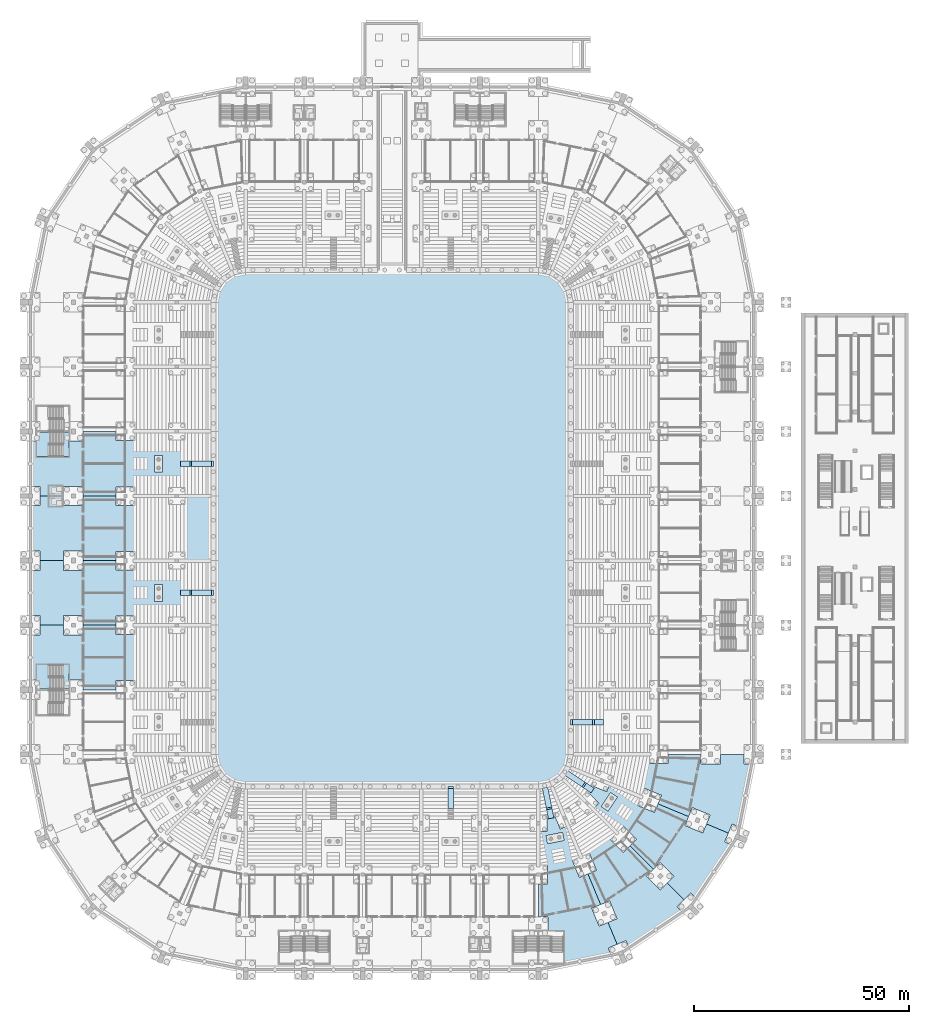
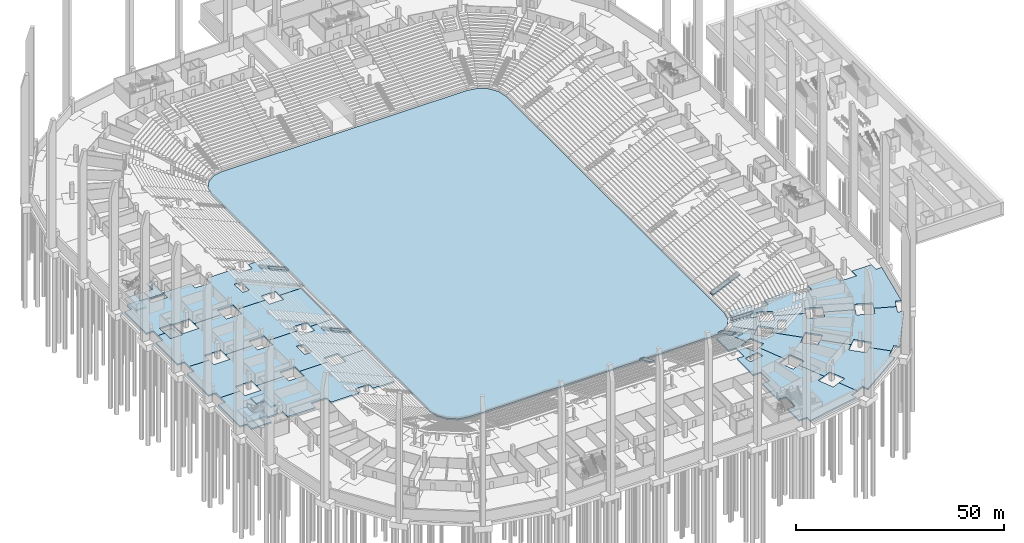
# One storey, part 17 of 115: 25 slabs, 2 elements without a shape of their own.
"""IFC4 building model written with IfcOpenShell, lengths in metres."""

from ifc_helpers import new_model, si_unit, direction, frame, origin, place, context, subcontext, project, spatial, polyline, outline, extrude, material, layer, layer_set, type_object, element, aggregate, save


model = new_model("IFC4")

# Units and contexts
model_context = context("Model", 3, precision=1e-05, world=origin(), true_north=direction((0.0, 1.0)))
body_context = subcontext(model_context, "Body", "Model", "MODEL_VIEW")
ifc_project = project(units=[si_unit("LENGTHUNIT", "METRE"), si_unit("AREAUNIT", "SQUARE_METRE"), si_unit("VOLUMEUNIT", "CUBIC_METRE"), si_unit("PLANEANGLEUNIT", "RADIAN"), si_unit("MASSUNIT", "GRAM", prefix="KILO")], contexts=[model_context])

# Site, building, storey
site_placement = place(None, origin())
site = spatial("IfcSite", under=ifc_project, at=site_placement, CompositionType="ELEMENT")
building_placement = place(site_placement, origin())
building = spatial("IfcBuilding", under=site, at=building_placement, Name="Ogive Plaza Stadium", CompositionType="ELEMENT")
storey_placement = place(building_placement, frame((0.0, 0.0, -4.5)))
storey = spatial("IfcBuildingStorey", under=building, at=storey_placement, Name="B1", CompositionType="ELEMENT", Elevation=-4.5)

# Slabs
ifc_material_1 = material(Name="Concrete C40/50", Category="concrete")
ifc_layer_1 = layer(ifc_material_1, 0.75927734375)
ifc_layer_set_1 = layer_set([ifc_layer_1], Name="Concrete C40/50")
ifc_layer_2 = layer(ifc_material_1, 0.449951171875)
ifc_layer_set_2 = layer_set([ifc_layer_2], Name="Concrete C40/50")
slab_type_1 = type_object("IfcSlabType", Name="Aisle stair slab 1300", PredefinedType="USERDEFINED", material=ifc_layer_set_2)
slab_1_placement = place(storey_placement, frame((41.5, -45.0, 4.5), z_axis=(0.0, 0.0, 1.0), x_axis=(1.0, 0.0, 0.0)))
element("IfcSlab", 1, at=slab_1_placement, inside=storey, type_object=slab_type_1, material=ifc_layer_set_1, Name="Aisle stair SA07D slab 1", ObjectType="AISLE STAIR SLAB", PredefinedType="USERDEFINED", context=body_context, shape_type="SweptSolid", body=[
    extrude(outline(polyline([(0.0, -3.375), (0.37158203125, -3.375), (5.10009765625, -1.288818359375), (5.10009765625, -1.699951171875), (5.01220703125, -1.73876953125), (4.8623046875, -1.804931640625), (4.71240234375, -1.87109375), (4.562255859375, -1.937255859375), (4.412353515625, -2.00341796875), (4.26220703125, -2.069580078125), (4.1123046875, -2.1357421875), (3.96240234375, -2.201904296875), (3.812255859375, -2.26806640625), (3.662353515625, -2.334228515625), (3.51220703125, -2.400390625), (3.3623046875, -2.466552734375), (3.21240234375, -2.53271484375), (3.062255859375, -2.59912109375), (2.912353515625, -2.665283203125), (2.76220703125, -2.731201171875), (2.6123046875, -2.797607421875), (2.46240234375, -2.86376953125), (2.312255859375, -2.929931640625), (2.162353515625, -2.99609375), (2.01220703125, -3.062255859375), (1.8623046875, -3.12841796875), (1.71240234375, -3.194580078125), (1.562255859375, -3.2607421875), (1.412353515625, -3.326904296875), (1.26220703125, -3.39306640625), (1.1123046875, -3.459228515625), (0.96240234375, -3.525390625), (0.812255859375, -3.591552734375), (0.662353515625, -3.65771484375), (0.60009765625, -3.685302734375), (0.60009765625, -3.949951171875), (0.51220703125, -3.949951171875), (0.3623046875, -3.949951171875), (0.21240234375, -3.949951171875), (0.0, -3.375)])), frame((0.0, 0.64990234375, 0.0), z_axis=(0.0, -1.0, 0.0), x_axis=(1.0, 0.0, 0.0)), (0.0, 0.0, 1.0), 1.300048828125),
])
ifc_layer_3 = layer(ifc_material_1, 0.5380859375)
ifc_layer_set_3 = layer_set([ifc_layer_3], Name="Concrete C40/50")
slab_2_placement = place(storey_placement, frame((46.60009765625, -45.0, 4.5), z_axis=(0.0, 0.0, 1.0), x_axis=(1.0, 0.0, 0.0)))
element("IfcSlab", 2, at=slab_2_placement, inside=storey, type_object=slab_type_1, material=ifc_layer_set_3, Name="Aisle stair SA07D slab 2", ObjectType="AISLE STAIR SLAB", PredefinedType="USERDEFINED", context=body_context, shape_type="SweptSolid", body=[
    extrude(outline(polyline([(0.0, -1.125), (0.37158203125, -1.125), (2.550048828125, -0.163818359375), (2.550048828125, -0.574951171875), (2.39990234375, -0.64111328125), (2.25, -0.70751953125), (2.10009765625, -0.7734375), (1.949951171875, -0.839599609375), (1.800048828125, -0.906005859375), (1.64990234375, -0.97216796875), (1.5, -1.0380859375), (1.35009765625, -1.1044921875), (1.199951171875, -1.170654296875), (1.050048828125, -1.23681640625), (0.89990234375, -1.302978515625), (0.75, -1.369140625), (0.60009765625, -1.435302734375), (0.449951171875, -1.50146484375), (0.300048828125, -1.567626953125), (0.14990234375, -1.6337890625), (0.0, -1.699951171875), (0.0, -1.125)])), frame((0.0, 0.64990234375, 0.0), z_axis=(0.0, -1.0, 0.0), x_axis=(1.0, 0.0, 0.0)), (0.0, 0.0, 1.0), 1.300048828125),
])
slab_3_placement = place(storey_placement, frame((40.236083984375, -56.666748046875, 4.5), z_axis=(0.0, 0.0, 1.0), x_axis=(0.831469612303, -0.55557023302, 0.0)))
element("IfcSlab", 3, at=slab_3_placement, inside=storey, type_object=slab_type_1, material=ifc_layer_set_1, Name="Aisle stair SA09D slab 1", ObjectType="AISLE STAIR SLAB", PredefinedType="USERDEFINED", context=body_context, shape_type="SweptSolid", body=[
    extrude(outline(polyline([(0.0, -3.375), (0.37158203125, -3.375), (5.10009765625, -1.288818359375), (5.10009765625, -1.699951171875), (5.01220703125, -1.73876953125), (4.8623046875, -1.804931640625), (4.71240234375, -1.87109375), (4.562255859375, -1.937255859375), (4.412353515625, -2.00341796875), (4.26220703125, -2.069580078125), (4.1123046875, -2.1357421875), (3.96240234375, -2.201904296875), (3.812255859375, -2.26806640625), (3.662353515625, -2.334228515625), (3.51220703125, -2.400390625), (3.3623046875, -2.466552734375), (3.21240234375, -2.53271484375), (3.062255859375, -2.59912109375), (2.912353515625, -2.665283203125), (2.76220703125, -2.731201171875), (2.6123046875, -2.797607421875), (2.46240234375, -2.86376953125), (2.312255859375, -2.929931640625), (2.162353515625, -2.99609375), (2.01220703125, -3.062255859375), (1.8623046875, -3.12841796875), (1.71240234375, -3.194580078125), (1.562255859375, -3.2607421875), (1.412353515625, -3.326904296875), (1.26220703125, -3.39306640625), (1.1123046875, -3.459228515625), (0.96240234375, -3.525390625), (0.812255859375, -3.591552734375), (0.662353515625, -3.65771484375), (0.60009765625, -3.685302734375), (0.60009765625, -3.949951171875), (0.51220703125, -3.949951171875), (0.3623046875, -3.949951171875), (0.21240234375, -3.949951171875), (0.0, -3.375)])), frame((0.0, 0.64990234375, 0.0), z_axis=(0.0, -1.0, 0.0), x_axis=(1.0, 0.0, 0.0)), (0.0, 0.0, 1.0), 1.300048828125),
])
slab_4_placement = place(storey_placement, frame((44.4765625, -59.500244140625, 4.5), z_axis=(0.0, 0.0, 1.0), x_axis=(0.831469612303, -0.55557023302, 0.0)))
element("IfcSlab", 4, at=slab_4_placement, inside=storey, type_object=slab_type_1, material=ifc_layer_set_3, Name="Aisle stair SA09D slab 2", ObjectType="AISLE STAIR SLAB", PredefinedType="USERDEFINED", context=body_context, shape_type="SweptSolid", body=[
    extrude(outline(polyline([(0.0, -1.125), (0.37158203125, -1.125), (2.550048828125, -0.163818359375), (2.550048828125, -0.574951171875), (2.39990234375, -0.64111328125), (2.25, -0.70751953125), (2.10009765625, -0.7734375), (1.949951171875, -0.839599609375), (1.800048828125, -0.906005859375), (1.64990234375, -0.97216796875), (1.5, -1.0380859375), (1.35009765625, -1.1044921875), (1.199951171875, -1.170654296875), (1.050048828125, -1.23681640625), (0.89990234375, -1.302978515625), (0.75, -1.369140625), (0.60009765625, -1.435302734375), (0.449951171875, -1.50146484375), (0.300048828125, -1.567626953125), (0.14990234375, -1.6337890625), (0.0, -1.699951171875), (0.0, -1.125)])), frame((0.0, 0.64990234375, 0.0), z_axis=(0.0, -1.0, 0.0), x_axis=(1.0, 0.0, 0.0)), (0.0, 0.0, 1.0), 1.300048828125),
])
slab_5_placement = place(storey_placement, frame((35.463134765625, -59.85595703125, 4.5), z_axis=(0.0, 0.0, 1.0), x_axis=(0.195090322016, -0.980785280403, 0.0)))
element("IfcSlab", 5, at=slab_5_placement, inside=storey, type_object=slab_type_1, material=ifc_layer_set_1, Name="Aisle stair SA11D slab 1", ObjectType="AISLE STAIR SLAB", PredefinedType="USERDEFINED", context=body_context, shape_type="SweptSolid", body=[
    extrude(outline(polyline([(0.0, -3.375), (0.37158203125, -3.375), (5.10009765625, -1.288818359375), (5.10009765625, -1.699951171875), (5.01220703125, -1.73876953125), (4.8623046875, -1.804931640625), (4.71240234375, -1.87109375), (4.562255859375, -1.937255859375), (4.412353515625, -2.00341796875), (4.26220703125, -2.069580078125), (4.1123046875, -2.1357421875), (3.96240234375, -2.201904296875), (3.812255859375, -2.26806640625), (3.662353515625, -2.334228515625), (3.51220703125, -2.400390625), (3.3623046875, -2.466552734375), (3.21240234375, -2.53271484375), (3.062255859375, -2.59912109375), (2.912353515625, -2.665283203125), (2.76220703125, -2.731201171875), (2.6123046875, -2.797607421875), (2.46240234375, -2.86376953125), (2.312255859375, -2.929931640625), (2.162353515625, -2.99609375), (2.01220703125, -3.062255859375), (1.8623046875, -3.12841796875), (1.71240234375, -3.194580078125), (1.562255859375, -3.2607421875), (1.412353515625, -3.326904296875), (1.26220703125, -3.39306640625), (1.1123046875, -3.459228515625), (0.96240234375, -3.525390625), (0.812255859375, -3.591552734375), (0.662353515625, -3.65771484375), (0.60009765625, -3.685302734375), (0.60009765625, -3.949951171875), (0.51220703125, -3.949951171875), (0.3623046875, -3.949951171875), (0.21240234375, -3.949951171875), (0.0, -3.375)])), frame((0.0, 0.64990234375, 0.0), z_axis=(0.0, -1.0, 0.0), x_axis=(1.0, 0.0, 0.0)), (0.0, 0.0, 1.0), 1.300048828125),
])
slab_6_placement = place(storey_placement, frame((36.458251953125, -64.85791015625, 4.5), z_axis=(0.0, 0.0, 1.0), x_axis=(0.195090322016, -0.980785280403, 0.0)))
element("IfcSlab", 6, at=slab_6_placement, inside=storey, type_object=slab_type_1, material=ifc_layer_set_3, Name="Aisle stair SA11D slab 2", ObjectType="AISLE STAIR SLAB", PredefinedType="USERDEFINED", context=body_context, shape_type="SweptSolid", body=[
    extrude(outline(polyline([(0.0, -1.125), (0.37158203125, -1.125), (2.550048828125, -0.163818359375), (2.550048828125, -0.574951171875), (2.39990234375, -0.64111328125), (2.25, -0.70751953125), (2.10009765625, -0.7734375), (1.949951171875, -0.839599609375), (1.800048828125, -0.906005859375), (1.64990234375, -0.97216796875), (1.5, -1.0380859375), (1.35009765625, -1.1044921875), (1.199951171875, -1.170654296875), (1.050048828125, -1.23681640625), (0.89990234375, -1.302978515625), (0.75, -1.369140625), (0.60009765625, -1.435302734375), (0.449951171875, -1.50146484375), (0.300048828125, -1.567626953125), (0.14990234375, -1.6337890625), (0.0, -1.699951171875), (0.0, -1.125)])), frame((0.0, 0.64990234375, 0.0), z_axis=(0.0, -1.0, 0.0), x_axis=(1.0, 0.0, 0.0)), (0.0, 0.0, 1.0), 1.300048828125),
])
for number, where, z_axis, x_axis, name in (
    (7, (13.60009765625, -60.0, 4.5), (0.0, 0.0, 1.0), (0.0, -1.0, 0.0), "Aisle stair SA13D slab 1"),
    (8, (-41.5, -15.0, 4.5), (0.0, 0.0, 1.0), (-1.0, 0.0, 0.0), "Aisle stair SA23D slab 1"),
):
    element("IfcSlab", number, at=place(storey_placement, frame(where, z_axis=z_axis, x_axis=x_axis)), inside=storey, type_object=slab_type_1, material=ifc_layer_set_1, Name=name, ObjectType="AISLE STAIR SLAB", PredefinedType="USERDEFINED", context=body_context, shape_type="SweptSolid", body=[
        extrude(outline(polyline([(0.0, -3.375), (0.37158203125, -3.375), (5.10009765625, -1.288818359375), (5.10009765625, -1.699951171875), (5.01220703125, -1.73876953125), (4.8623046875, -1.804931640625), (4.71240234375, -1.87109375), (4.562255859375, -1.937255859375), (4.412353515625, -2.00341796875), (4.26220703125, -2.069580078125), (4.1123046875, -2.1357421875), (3.96240234375, -2.201904296875), (3.812255859375, -2.26806640625), (3.662353515625, -2.334228515625), (3.51220703125, -2.400390625), (3.3623046875, -2.466552734375), (3.21240234375, -2.53271484375), (3.062255859375, -2.59912109375), (2.912353515625, -2.665283203125), (2.76220703125, -2.731201171875), (2.6123046875, -2.797607421875), (2.46240234375, -2.86376953125), (2.312255859375, -2.929931640625), (2.162353515625, -2.99609375), (2.01220703125, -3.062255859375), (1.8623046875, -3.12841796875), (1.71240234375, -3.194580078125), (1.562255859375, -3.2607421875), (1.412353515625, -3.326904296875), (1.26220703125, -3.39306640625), (1.1123046875, -3.459228515625), (0.96240234375, -3.525390625), (0.812255859375, -3.591552734375), (0.662353515625, -3.65771484375), (0.60009765625, -3.685302734375), (0.60009765625, -3.949951171875), (0.51220703125, -3.949951171875), (0.3623046875, -3.949951171875), (0.21240234375, -3.949951171875), (0.0, -3.375)])), frame((0.0, 0.64990234375, 0.0), z_axis=(0.0, -1.0, 0.0), x_axis=(1.0, 0.0, 0.0)), (0.0, 0.0, 1.0), 1.300048828125),
    ])
slab_7_placement = place(storey_placement, frame((-46.60009765625, -15.0, 4.5), z_axis=(0.0, 0.0, 1.0), x_axis=(-1.0, 0.0, 0.0)))
element("IfcSlab", 9, at=slab_7_placement, inside=storey, type_object=slab_type_1, material=ifc_layer_set_3, Name="Aisle stair SA23D slab 2", ObjectType="AISLE STAIR SLAB", PredefinedType="USERDEFINED", context=body_context, shape_type="SweptSolid", body=[
    extrude(outline(polyline([(0.0, -1.125), (0.37158203125, -1.125), (2.550048828125, -0.163818359375), (2.550048828125, -0.574951171875), (2.39990234375, -0.64111328125), (2.25, -0.70751953125), (2.10009765625, -0.7734375), (1.949951171875, -0.839599609375), (1.800048828125, -0.906005859375), (1.64990234375, -0.97216796875), (1.5, -1.0380859375), (1.35009765625, -1.1044921875), (1.199951171875, -1.170654296875), (1.050048828125, -1.23681640625), (0.89990234375, -1.302978515625), (0.75, -1.369140625), (0.60009765625, -1.435302734375), (0.449951171875, -1.50146484375), (0.300048828125, -1.567626953125), (0.14990234375, -1.6337890625), (0.0, -1.699951171875), (0.0, -1.125)])), frame((0.0, 0.64990234375, 0.0), z_axis=(0.0, -1.0, 0.0), x_axis=(1.0, 0.0, 0.0)), (0.0, 0.0, 1.0), 1.300048828125),
])
slab_8_placement = place(storey_placement, frame((-41.5, 15.0, 4.5), z_axis=(0.0, 0.0, 1.0), x_axis=(-1.0, 0.0, 0.0)))
element("IfcSlab", 10, at=slab_8_placement, inside=storey, type_object=slab_type_1, material=ifc_layer_set_1, Name="Aisle stair SA25D slab 1", ObjectType="AISLE STAIR SLAB", PredefinedType="USERDEFINED", context=body_context, shape_type="SweptSolid", body=[
    extrude(outline(polyline([(0.0, -3.375), (0.37158203125, -3.375), (5.10009765625, -1.288818359375), (5.10009765625, -1.699951171875), (5.01220703125, -1.73876953125), (4.8623046875, -1.804931640625), (4.71240234375, -1.87109375), (4.562255859375, -1.937255859375), (4.412353515625, -2.00341796875), (4.26220703125, -2.069580078125), (4.1123046875, -2.1357421875), (3.96240234375, -2.201904296875), (3.812255859375, -2.26806640625), (3.662353515625, -2.334228515625), (3.51220703125, -2.400390625), (3.3623046875, -2.466552734375), (3.21240234375, -2.53271484375), (3.062255859375, -2.59912109375), (2.912353515625, -2.665283203125), (2.76220703125, -2.731201171875), (2.6123046875, -2.797607421875), (2.46240234375, -2.86376953125), (2.312255859375, -2.929931640625), (2.162353515625, -2.99609375), (2.01220703125, -3.062255859375), (1.8623046875, -3.12841796875), (1.71240234375, -3.194580078125), (1.562255859375, -3.2607421875), (1.412353515625, -3.326904296875), (1.26220703125, -3.39306640625), (1.1123046875, -3.459228515625), (0.96240234375, -3.525390625), (0.812255859375, -3.591552734375), (0.662353515625, -3.65771484375), (0.60009765625, -3.685302734375), (0.60009765625, -3.949951171875), (0.51220703125, -3.949951171875), (0.3623046875, -3.949951171875), (0.21240234375, -3.949951171875), (0.0, -3.375)])), frame((0.0, 0.64990234375, 0.0), z_axis=(0.0, -1.0, 0.0), x_axis=(1.0, 0.0, 0.0)), (0.0, 0.0, 1.0), 1.300048828125),
])
slab_9_placement = place(storey_placement, frame((-46.60009765625, 15.0, 4.5), z_axis=(0.0, 0.0, 1.0), x_axis=(-1.0, 0.0, 0.0)))
element("IfcSlab", 11, at=slab_9_placement, inside=storey, type_object=slab_type_1, material=ifc_layer_set_3, Name="Aisle stair SA25D slab 2", ObjectType="AISLE STAIR SLAB", PredefinedType="USERDEFINED", context=body_context, shape_type="SweptSolid", body=[
    extrude(outline(polyline([(0.0, -1.125), (0.37158203125, -1.125), (2.550048828125, -0.163818359375), (2.550048828125, -0.574951171875), (2.39990234375, -0.64111328125), (2.25, -0.70751953125), (2.10009765625, -0.7734375), (1.949951171875, -0.839599609375), (1.800048828125, -0.906005859375), (1.64990234375, -0.97216796875), (1.5, -1.0380859375), (1.35009765625, -1.1044921875), (1.199951171875, -1.170654296875), (1.050048828125, -1.23681640625), (0.89990234375, -1.302978515625), (0.75, -1.369140625), (0.60009765625, -1.435302734375), (0.449951171875, -1.50146484375), (0.300048828125, -1.567626953125), (0.14990234375, -1.6337890625), (0.0, -1.699951171875), (0.0, -1.125)])), frame((0.0, 0.64990234375, 0.0), z_axis=(0.0, -1.0, 0.0), x_axis=(1.0, 0.0, 0.0)), (0.0, 0.0, 1.0), 1.300048828125),
])
ifc_material_2 = material(Name="Concrete C40/50", Category="concrete")
ifc_layer_4 = layer(ifc_material_2, 0.39990234375)
ifc_layer_set_4 = layer_set([ifc_layer_4], Name="Concrete C40/50")
slab_type_2 = type_object("IfcSlabType", Name="Lift pit slab", PredefinedType="BASESLAB", material=ifc_layer_set_4)
slab_10_placement = place(storey_placement, frame((0.0, 0.0, -1.610107421875)))
element("IfcSlab", 12, at=slab_10_placement, inside=storey, type_object=slab_type_2, Name="Lift pit slab LP25", PredefinedType="BASESLAB", context=body_context, shape_type="SweptSolid", body=[
    extrude(outline(polyline([(-76.39990234375, 10.074951171875), (-79.89990234375, 10.074951171875), (-79.89990234375, 4.925048828125), (-76.39990234375, 4.925048828125), (-76.39990234375, 10.074951171875)])), origin(), (0.0, 0.0, 1.0), 0.41015625),
])
ifc_material_3 = material(Name="Concrete C40/50", Category="concrete")
ifc_layer_5 = layer(ifc_material_3, 0.449951171875)
ifc_layer_set_5 = layer_set([ifc_layer_5], Name="Concrete C40/50")
slab_type_3 = type_object("IfcSlabType", Name="RC ground slab 450", PredefinedType="BASESLAB", material=ifc_layer_set_5)
slab_11_placement = place(storey_placement, frame((0.0, 0.0, -0.39990234375)))
element("IfcSlab", 13, at=slab_11_placement, inside=storey, type_object=slab_type_3, Name="Ground slab B1 B08", PredefinedType="BASESLAB", context=body_context, shape_type="SweptSolid", body=[
    extrude(outline(polyline([(46.98046875, -57.876708984375), (47.726806640625, -56.0751953125), (51.329833984375, -57.567626953125), (50.583740234375, -59.369140625), (57.789794921875, -62.35400390625), (58.612548828125, -60.36767578125), (62.58544921875, -62.01318359375), (61.7626953125, -63.999755859375), (68.87646484375, -66.9462890625), (69.737548828125, -64.86767578125), (73.89501953125, -66.589599609375), (73.033935546875, -68.66845703125), (78.115234375, -70.773193359375), (78.976318359375, -68.6943359375), (80.41064453125, -69.28857421875), (83.302490234375, -54.75), (81.75, -54.75), (81.75, -52.5), (76.25, -52.5), (76.25, -54.75), (71.75, -54.75), (71.75, -52.5), (64.050048828125, -52.5), (64.050048828125, -54.64990234375), (59.75, -54.64990234375), (59.75, -52.5), (51.949951171875, -52.5), (51.949951171875, -54.449951171875), (48.050048828125, -54.449951171875), (48.050048828125, -52.5), (42.10009765625, -52.5), (41.4833984375, -55.599853515625), (46.98046875, -57.876708984375)])), origin(), (0.0, 0.0, 1.0), 0.449951171875),
])
slab_12_placement = place(storey_placement, frame((0.0, 0.0, -0.39990234375)))
element("IfcSlab", 14, at=slab_12_placement, inside=storey, type_object=slab_type_3, Name="Ground slab B1 B09", PredefinedType="BASESLAB", context=body_context, shape_type="SweptSolid", body=[
    extrude(outline(polyline([(43.934814453125, -62.434814453125), (45.313720703125, -61.055908203125), (48.071533203125, -63.813720703125), (46.692626953125, -65.192626953125), (52.2080078125, -70.7080078125), (53.728271484375, -69.187744140625), (56.768798828125, -72.228271484375), (55.24853515625, -73.74853515625), (60.693359375, -79.193359375), (62.2841796875, -77.602294921875), (65.46630859375, -80.7841796875), (63.875244140625, -82.375244140625), (67.764404296875, -86.264404296875), (69.355224609375, -84.67333984375), (70.453125, -85.77099609375), (78.6884765625, -73.446044921875), (77.254150390625, -72.851806640625), (78.115234375, -70.773193359375), (73.033935546875, -68.66845703125), (72.1728515625, -70.7470703125), (68.015380859375, -69.025146484375), (68.87646484375, -66.9462890625), (61.7626953125, -63.999755859375), (60.939697265625, -65.986083984375), (56.967041015625, -64.34033203125), (57.789794921875, -62.35400390625), (50.583740234375, -59.369140625), (49.83740234375, -61.170654296875), (46.234375, -59.67822265625), (46.98046875, -57.876708984375), (41.4833984375, -55.599853515625), (39.7275390625, -58.2275390625), (43.934814453125, -62.434814453125)]), holes=[polyline([(52.34619140625, -62.413330078125), (50.766357421875, -61.357666015625), (48.599609375, -64.600341796875), (50.179443359375, -65.656005859375), (52.34619140625, -62.413330078125)])]), origin(), (0.0, 0.0, 1.0), 0.449951171875),
])
slab_13_placement = place(storey_placement, frame((0.0, 0.0, -0.39990234375)))
element("IfcSlab", 15, at=slab_13_placement, inside=storey, type_object=slab_type_3, Name="Ground slab B1 B10", PredefinedType="BASESLAB", context=body_context, shape_type="SweptSolid", body=[
    extrude(outline(polyline([(39.376708984375, -65.48046875), (41.17822265625, -64.734375), (42.670654296875, -68.33740234375), (40.869140625, -69.083740234375), (43.85400390625, -76.289794921875), (45.84033203125, -75.467041015625), (47.486083984375, -79.439697265625), (45.499755859375, -80.2626953125), (48.4462890625, -87.37646484375), (50.525146484375, -86.515380859375), (52.2470703125, -90.6728515625), (50.16845703125, -91.533935546875), (52.273193359375, -96.615234375), (54.351806640625, -95.754150390625), (54.946044921875, -97.1884765625), (67.27099609375, -88.953125), (66.17333984375, -87.855224609375), (67.764404296875, -86.264404296875), (63.875244140625, -82.375244140625), (62.2841796875, -83.96630859375), (59.102294921875, -80.7841796875), (60.693359375, -79.193359375), (55.24853515625, -73.74853515625), (53.728271484375, -75.268798828125), (50.687744140625, -72.228271484375), (52.2080078125, -70.7080078125), (46.692626953125, -65.192626953125), (45.313720703125, -66.571533203125), (42.555908203125, -63.813720703125), (43.934814453125, -62.434814453125), (39.7275390625, -58.2275390625), (37.099853515625, -59.9833984375), (39.376708984375, -65.48046875)])), origin(), (0.0, 0.0, 1.0), 0.449951171875),
])
slab_14_placement = place(storey_placement, frame((0.0, 0.0, -0.39990234375)))
element("IfcSlab", 16, at=slab_14_placement, inside=storey, type_object=slab_type_3, Name="Ground slab B1 B11", PredefinedType="BASESLAB", context=body_context, shape_type="SweptSolid", body=[
    extrude(outline(polyline([(34.0, -66.550048828125), (35.949951171875, -66.550048828125), (35.949951171875, -70.449951171875), (34.0, -70.449951171875), (34.0, -78.25), (36.14990234375, -78.25), (36.14990234375, -82.550048828125), (34.0, -82.550048828125), (34.0, -90.25), (36.25, -90.25), (36.25, -94.75), (34.0, -94.75), (34.0, -100.25), (36.25, -100.25), (36.25, -101.802490234375), (50.78857421875, -98.91064453125), (50.1943359375, -97.476318359375), (52.273193359375, -96.615234375), (50.16845703125, -91.533935546875), (48.089599609375, -92.39501953125), (46.36767578125, -88.237548828125), (48.4462890625, -87.37646484375), (45.499755859375, -80.2626953125), (43.51318359375, -81.08544921875), (41.86767578125, -77.112548828125), (43.85400390625, -76.289794921875), (40.869140625, -69.083740234375), (39.067626953125, -69.829833984375), (37.5751953125, -66.226806640625), (39.376708984375, -65.48046875), (37.099853515625, -59.9833984375), (34.0, -60.60009765625), (34.0, -66.550048828125)]), holes=[polyline([(39.962890625, -72.482421875), (39.59228515625, -70.618896484375), (35.767333984375, -71.3798828125), (36.137939453125, -73.243408203125), (39.962890625, -72.482421875)])]), origin(), (0.0, 0.0, 1.0), 0.449951171875),
])
slab_15_placement = place(storey_placement, frame((0.0, 0.0, -0.39990234375)))
element("IfcSlab", 17, at=slab_15_placement, inside=storey, type_object=slab_type_3, Name="Ground slab B1 B22", PredefinedType="BASESLAB", context=body_context, shape_type="SweptSolid", body=[
    extrude(outline(polyline([(-48.050048828125, -22.5), (-48.050048828125, -24.449951171875), (-51.949951171875, -24.449951171875), (-51.949951171875, -22.5), (-59.75, -22.5), (-59.75, -24.64990234375), (-64.050048828125, -24.64990234375), (-64.050048828125, -22.5), (-71.75, -22.5), (-71.75, -24.75), (-76.25, -24.75), (-76.25, -22.5), (-81.75, -22.5), (-81.75, -24.75), (-83.75, -24.75), (-83.75, -35.25), (-81.75, -35.25), (-81.75, -37.5), (-76.25, -37.5), (-76.25, -35.25), (-71.75, -35.25), (-71.75, -37.5), (-64.050048828125, -37.5), (-64.050048828125, -35.35009765625), (-59.75, -35.35009765625), (-59.75, -37.5), (-51.949951171875, -37.5), (-51.949951171875, -35.550048828125), (-48.050048828125, -35.550048828125), (-48.050048828125, -37.5), (-42.10009765625, -37.5), (-42.10009765625, -22.5), (-48.050048828125, -22.5)])), origin(), (0.0, 0.0, 1.0), 0.449951171875),
])
slab_16_placement = place(storey_placement, frame((0.0, 0.0, -0.39990234375)))
element("IfcSlab", 18, at=slab_16_placement, inside=storey, type_object=slab_type_3, Name="Ground slab B1 B23", PredefinedType="BASESLAB", context=body_context, shape_type="SweptSolid", body=[
    extrude(outline(polyline([(-48.050048828125, -7.5), (-48.050048828125, -9.449951171875), (-51.949951171875, -9.449951171875), (-51.949951171875, -7.5), (-59.75, -7.5), (-59.75, -9.64990234375), (-64.050048828125, -9.64990234375), (-64.050048828125, -7.5), (-71.75, -7.5), (-71.75, -9.75), (-76.25, -9.75), (-76.25, -7.5), (-81.75, -7.5), (-81.75, -9.75), (-83.75, -9.75), (-83.75, -20.25), (-81.75, -20.25), (-81.75, -22.5), (-76.25, -22.5), (-76.25, -20.25), (-71.75, -20.25), (-71.75, -22.5), (-64.050048828125, -22.5), (-64.050048828125, -20.35009765625), (-59.75, -20.35009765625), (-59.75, -22.5), (-51.949951171875, -22.5), (-51.949951171875, -20.550048828125), (-48.050048828125, -20.550048828125), (-48.050048828125, -22.5), (-42.10009765625, -22.5), (-42.10009765625, -7.5), (-48.050048828125, -7.5)]), holes=[polyline([(-55.14990234375, -16.949951171875), (-53.25, -16.949951171875), (-53.25, -13.050048828125), (-55.14990234375, -13.050048828125), (-55.14990234375, -16.949951171875)])]), origin(), (0.0, 0.0, 1.0), 0.449951171875),
])
slab_17_placement = place(storey_placement, frame((0.0, 0.0, -0.39990234375)))
element("IfcSlab", 19, at=slab_17_placement, inside=storey, type_object=slab_type_3, Name="Ground slab B1 B24", PredefinedType="BASESLAB", context=body_context, shape_type="SweptSolid", body=[
    extrude(outline(polyline([(-48.050048828125, 7.5), (-48.050048828125, 5.550048828125), (-51.949951171875, 5.550048828125), (-51.949951171875, 7.5), (-59.75, 7.5), (-59.75, 5.35009765625), (-64.050048828125, 5.35009765625), (-64.050048828125, 7.5), (-71.75, 7.5), (-71.75, 5.25), (-76.25, 5.25), (-76.25, 7.5), (-76.39990234375, 7.5), (-76.39990234375, 4.925048828125), (-79.89990234375, 4.925048828125), (-79.89990234375, 7.5), (-81.75, 7.5), (-81.75, 5.25), (-83.75, 5.25), (-83.75, -5.25), (-81.75, -5.25), (-81.75, -7.5), (-76.25, -7.5), (-76.25, -5.25), (-71.75, -5.25), (-71.75, -7.5), (-64.050048828125, -7.5), (-64.050048828125, -5.35009765625), (-59.75, -5.35009765625), (-59.75, -7.5), (-51.949951171875, -7.5), (-51.949951171875, -5.550048828125), (-48.050048828125, -5.550048828125), (-48.050048828125, -7.5), (-42.10009765625, -7.5), (-42.10009765625, 7.5), (-48.050048828125, 7.5)])), origin(), (0.0, 0.0, 1.0), 0.449951171875),
])
slab_18_placement = place(storey_placement, frame((0.0, 0.0, -0.39990234375)))
element("IfcSlab", 20, at=slab_18_placement, inside=storey, type_object=slab_type_3, Name="Ground slab B1 B25", PredefinedType="BASESLAB", context=body_context, shape_type="SweptSolid", body=[
    extrude(outline(polyline([(-48.050048828125, 22.5), (-48.050048828125, 20.550048828125), (-51.949951171875, 20.550048828125), (-51.949951171875, 22.5), (-59.75, 22.5), (-59.75, 20.35009765625), (-64.050048828125, 20.35009765625), (-64.050048828125, 22.5), (-71.75, 22.5), (-71.75, 20.25), (-76.25, 20.25), (-76.25, 22.5), (-81.75, 22.5), (-81.75, 20.25), (-83.75, 20.25), (-83.75, 9.75), (-81.75, 9.75), (-81.75, 7.5), (-79.89990234375, 7.5), (-79.89990234375, 10.074951171875), (-76.39990234375, 10.074951171875), (-76.39990234375, 7.5), (-76.25, 7.5), (-76.25, 9.75), (-71.75, 9.75), (-71.75, 7.5), (-64.050048828125, 7.5), (-64.050048828125, 9.64990234375), (-59.75, 9.64990234375), (-59.75, 7.5), (-51.949951171875, 7.5), (-51.949951171875, 9.449951171875), (-48.050048828125, 9.449951171875), (-48.050048828125, 7.5), (-42.10009765625, 7.5), (-42.10009765625, 22.5), (-48.050048828125, 22.5)]), holes=[polyline([(-55.14990234375, 13.050048828125), (-53.25, 13.050048828125), (-53.25, 16.949951171875), (-55.14990234375, 16.949951171875), (-55.14990234375, 13.050048828125)])]), origin(), (0.0, 0.0, 1.0), 0.449951171875),
])

# Stair, slabs
ifc_material_4 = material(Name="Concrete C40/50", Category="concrete")
stair_type = type_object("IfcStairType", Name="Exit stair", PredefinedType="STRAIGHT_RUN_STAIR", material=ifc_material_4)
stair_1_placement = place(storey_placement, origin())
stair_1 = element("IfcStair", 21, at=stair_1_placement, inside=storey, type_object=stair_type, Name="Exit stair ST22A B1 to L00", PredefinedType="STRAIGHT_RUN_STAIR")
ifc_material_5 = material(Name="Concrete C40/50", Category="concrete")
ifc_layer_6 = layer(ifc_material_5, 0.39990234375)
ifc_layer_set_6 = layer_set([ifc_layer_6], Name="Concrete C40/50")
slab_type_4 = type_object("IfcSlabType", Name="Stair landing", PredefinedType="LANDING", material=ifc_layer_set_6)
slab_19_placement = place(storey_placement, frame((0.0, 0.0, 1.85009765625)))
slab_19 = element("IfcSlab", 22, at=slab_19_placement, type_object=slab_type_4, Name="ST22A landing 1", PredefinedType="LANDING", context=body_context, shape_type="SweptSolid", body=[
    extrude(outline(polyline([(-82.510009765625, -37.375), (-82.510009765625, -31.675048828125), (-79.7099609375, -31.675048828125), (-79.7099609375, -34.574951171875), (-77.31005859375, -34.574951171875), (-77.31005859375, -37.375), (-79.7099609375, -37.375), (-82.510009765625, -37.375)])), origin(), (0.0, 0.0, 1.0), 0.39990234375),
])
slab_20_placement = place(storey_placement, frame((0.0, 0.0, 4.10009765625)))
slab_20 = element("IfcSlab", 23, at=slab_20_placement, type_object=slab_type_4, Name="ST22A landing 2", PredefinedType="LANDING", context=body_context, shape_type="SweptSolid", body=[
    extrude(outline(polyline([(-78.75, -34.47509765625), (-78.75, -31.675048828125), (-76.35009765625, -31.675048828125), (-75.050048828125, -31.675048828125), (-75.050048828125, -37.375), (-76.35009765625, -37.375), (-76.35009765625, -34.47509765625), (-78.75, -34.47509765625)])), origin(), (0.0, 0.0, 1.0), 0.39990234375),
])
aggregate(stair_1, [slab_19, slab_20])

stair_2_placement = place(storey_placement, origin())
stair_2 = element("IfcStair", 24, at=stair_2_placement, inside=storey, type_object=stair_type, Name="Exit stair ST26B B1 to L00", PredefinedType="STRAIGHT_RUN_STAIR")
slab_21_placement = place(storey_placement, frame((0.0, 0.0, 1.85009765625)))
slab_21 = element("IfcSlab", 25, at=slab_21_placement, type_object=slab_type_4, Name="ST26B landing 1", PredefinedType="LANDING", context=body_context, shape_type="SweptSolid", body=[
    extrude(outline(polyline([(-77.31005859375, 22.375), (-77.31005859375, 19.574951171875), (-79.7099609375, 19.574951171875), (-79.7099609375, 16.675048828125), (-82.510009765625, 16.675048828125), (-82.510009765625, 22.375), (-79.7099609375, 22.375), (-77.31005859375, 22.375)])), origin(), (0.0, 0.0, 1.0), 0.39990234375),
])
slab_22_placement = place(storey_placement, frame((0.0, 0.0, 4.10009765625)))
slab_22 = element("IfcSlab", 26, at=slab_22_placement, type_object=slab_type_4, Name="ST26B landing 2", PredefinedType="LANDING", context=body_context, shape_type="SweptSolid", body=[
    extrude(outline(polyline([(-76.35009765625, 22.375), (-75.050048828125, 22.375), (-75.050048828125, 16.675048828125), (-76.35009765625, 16.675048828125), (-78.75, 16.675048828125), (-78.75, 19.47509765625), (-76.35009765625, 19.47509765625), (-76.35009765625, 22.375)])), origin(), (0.0, 0.0, 1.0), 0.39990234375),
])
aggregate(stair_2, [slab_21, slab_22])

# Slab
ifc_material_6 = material(Name="Turf on compacted fill", Category="soil")
ifc_layer_7 = layer(ifc_material_6, 0.449951171875)
ifc_layer_set_7 = layer_set([ifc_layer_7], Name="Turf pitch slab 450")
slab_type_5 = type_object("IfcSlabType", Name="Turf pitch slab 450", PredefinedType="BASESLAB", material=ifc_layer_set_7)
slab_23_placement = place(storey_placement, frame((0.0, 0.0, -0.39990234375)))
element("IfcSlab", 27, at=slab_23_placement, inside=storey, type_object=slab_type_5, Name="Pitch slab", PredefinedType="BASESLAB", context=body_context, shape_type="SweptSolid", body=[
    extrude(outline(polyline([(40.89990234375, 52.5), (40.89990234375, 37.5), (40.89990234375, 22.5), (40.89990234375, 7.5), (40.89990234375, -7.5), (40.89990234375, -22.5), (40.89990234375, -37.5), (40.89990234375, -52.5), (40.374755859375, -55.140625), (38.879150390625, -57.379150390625), (36.640625, -58.874755859375), (34.0, -59.39990234375), (20.39990234375, -59.39990234375), (6.800048828125, -59.39990234375), (-6.800048828125, -59.39990234375), (-20.39990234375, -59.39990234375), (-34.0, -59.39990234375), (-36.640625, -58.874755859375), (-38.879150390625, -57.379150390625), (-40.374755859375, -55.140625), (-40.89990234375, -52.5), (-40.89990234375, -37.5), (-40.89990234375, -22.5), (-40.89990234375, -7.5), (-40.89990234375, 7.5), (-40.89990234375, 22.5), (-40.89990234375, 37.5), (-40.89990234375, 52.5), (-40.374755859375, 55.140625), (-38.879150390625, 57.379150390625), (-36.640625, 58.874755859375), (-34.0, 59.39990234375), (-20.39990234375, 59.39990234375), (-6.800048828125, 59.39990234375), (6.800048828125, 59.39990234375), (20.39990234375, 59.39990234375), (34.0, 59.39990234375), (36.640625, 58.874755859375), (38.879150390625, 57.379150390625), (40.374755859375, 55.140625), (40.89990234375, 52.5)])), origin(), (0.0, 0.0, 1.0), 0.449951171875),
])

save(model, "model.ifc")
